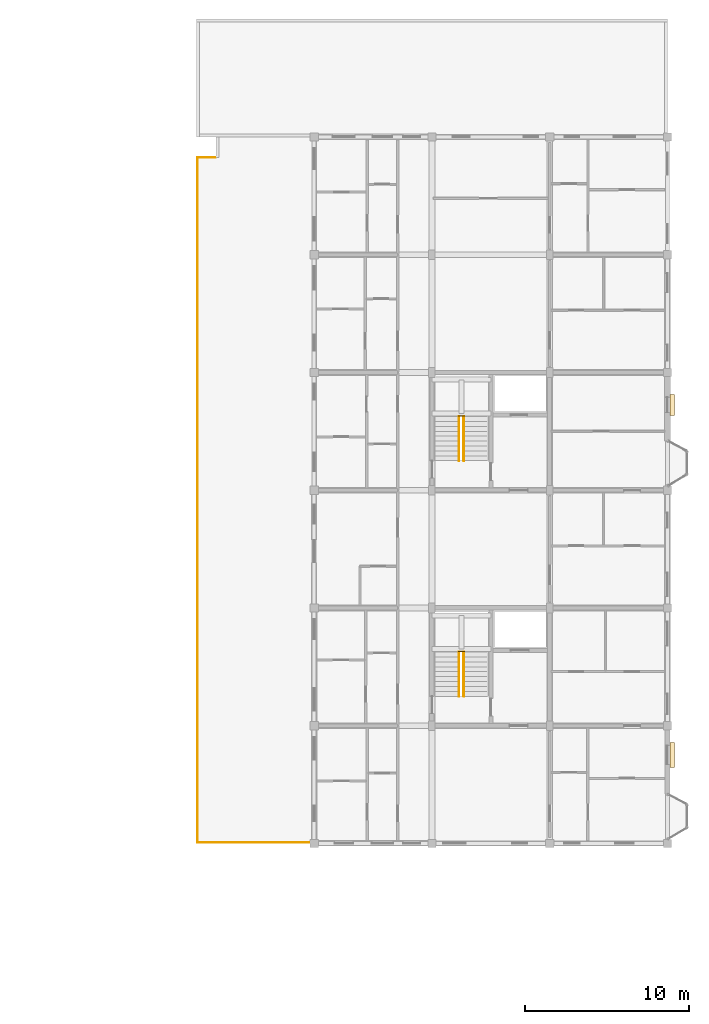
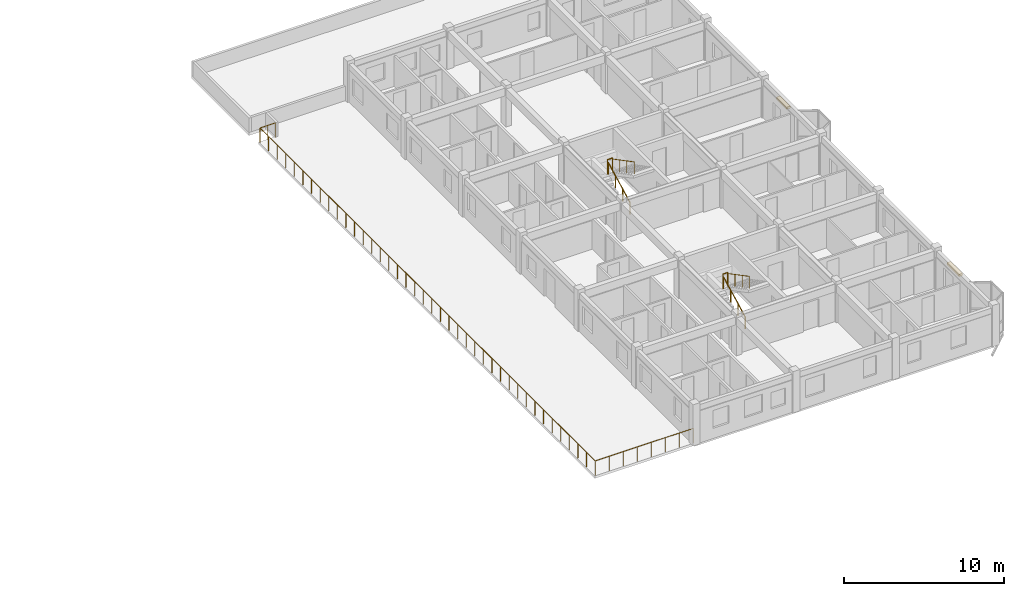
# One storey, part 69 of 70: 7 railings, 2 coverings.
"""IFC4 building model written with IfcOpenShell, lengths in metres."""

from ifc_helpers import new_model, si_unit, direction, frame, origin, origin_2d, place, context, subcontext, project, spatial, rectangle, circle, extrude, material, layer, layer_set, type_object, element, save


model = new_model("IFC4")

# Units and contexts
model_context = context("Model", 3, precision=1e-05, world=origin(), true_north=direction((0.0, 1.0)))
body_context = subcontext(model_context, "Body", "Model", "MODEL_VIEW")
ifc_project = project(units=[si_unit("LENGTHUNIT", "METRE"), si_unit("AREAUNIT", "SQUARE_METRE"), si_unit("VOLUMEUNIT", "CUBIC_METRE"), si_unit("PLANEANGLEUNIT", "RADIAN"), si_unit("MASSUNIT", "GRAM", prefix="KILO"), si_unit("THERMODYNAMICTEMPERATUREUNIT", "KELVIN"), si_unit("POWERUNIT", "WATT")], contexts=[model_context])

# Site, building, storey
site_placement = place(None, origin())
site = spatial("IfcSite", under=ifc_project, at=site_placement, CompositionType="ELEMENT")
building_placement = place(site_placement, origin())
building = spatial("IfcBuilding", under=site, at=building_placement, Name="Tavuni Mirador Residences", CompositionType="ELEMENT")
storey_placement = place(building_placement, frame((0.0, 0.0, 23.39990234375)))
storey = spatial("IfcBuildingStorey", under=building, at=storey_placement, Name="L07", CompositionType="ELEMENT", Elevation=23.39990234375)

# Coverings
ifc_material_1 = material(Name="Natural coral limestone", Category="masonry")
ifc_layer = layer(ifc_material_1, 0.054931640625, Name="Natural coral limestone", Category="masonry")
ifc_layer_set = layer_set([ifc_layer], Name="Natural coral limestone")
covering_type = type_object("IfcCoveringType", Name="CVT-CLAD-CORAL", PredefinedType="CLADDING", material=ifc_layer_set)
covering_1_placement = place(storey_placement, frame((119.092041015625, 91.81005859375, 2.240234375), z_axis=(0.0, 0.0, 1.0), x_axis=(0.0, 1.0, 0.0)))
element("IfcCovering", 1, at=covering_1_placement, inside=storey, type_object=covering_type, Name="HOOD-1036", PredefinedType="CLADDING", context=body_context, shape_type="SweptSolid", body=[
    extrude(rectangle(XDim=1.510009765625, YDim=0.260009765625, at=origin_2d()), origin(), (0.0, 0.0, 1.0), 0.159912109375),
])
covering_2_placement = place(storey_placement, frame((119.099609375, 113.219970703125, 1.9501953125), z_axis=(0.0, 0.0, 1.0), x_axis=(0.0, 1.0, 0.0)))
element("IfcCovering", 2, at=covering_2_placement, inside=storey, type_object=covering_type, Name="HOOD-1037", PredefinedType="CLADDING", context=body_context, shape_type="SweptSolid", body=[
    extrude(rectangle(XDim=1.280029296875, YDim=0.260009765625, at=origin_2d()), origin(), (0.0, 0.0, 1.0), 0.159912109375),
])

# Railings
ifc_material_2 = material(Name="Structural steel S355", Category="steel")
railing_type_1 = type_object("IfcRailingType", Name="RT-GR1120", PredefinedType="GUARDRAIL", material=ifc_material_2)
railing_1_placement = place(storey_placement, frame((91.169921875, 128.340087890625, 0.0)))
element("IfcRailing", 3, at=railing_1_placement, inside=storey, type_object=railing_type_1, Name="Terrace guard TER-D-L07", PredefinedType="GUARDRAIL", context=body_context, shape_type="SweptSolid", body=[
    extrude(circle(Radius=0.02392578125, at=origin_2d()), frame((0.0, 0.0, 1.09619140625), z_axis=(-1.0, 0.0, 0.0), x_axis=(0.0, -1.0, 0.0)), (0.0, 0.0, 1.0), 1.10986328125),
    extrude(circle(Radius=0.02392578125, at=origin_2d()), frame((-1.10986328125, 0.0, 1.09619140625), z_axis=(0.0, -1.0, 0.0), x_axis=(1.0, 0.0, 0.0)), (0.0, 0.0, 1.0), 41.880126953125),
    extrude(circle(Radius=0.02392578125, at=origin_2d()), frame((-1.10986328125, -41.880126953125, 1.09619140625), z_axis=(1.0, 0.0, 0.0), x_axis=(0.0, 1.0, 0.0)), (0.0, 0.0, 1.0), 7.079833984375),
    extrude(circle(Radius=0.02099609375, at=origin_2d()), origin(), (0.0, 0.0, 1.0), 1.072021484375),
    extrude(circle(Radius=0.02099609375, at=origin_2d()), frame((-0.554931640625, 0.0, 0.0)), (0.0, 0.0, 1.0), 1.072021484375),
    extrude(circle(Radius=0.02099609375, at=origin_2d()), frame((-1.10986328125, 0.0, 0.0)), (0.0, 0.0, 1.0), 1.072021484375),
    extrude(circle(Radius=0.02099609375, at=origin_2d()), frame((-1.10986328125, -1.07373046875, 0.0)), (0.0, 0.0, 1.0), 1.072021484375),
    extrude(circle(Radius=0.02099609375, at=origin_2d()), frame((-1.10986328125, -2.147705078125, 0.0)), (0.0, 0.0, 1.0), 1.072021484375),
    extrude(circle(Radius=0.02099609375, at=origin_2d()), frame((-1.10986328125, -3.221435546875, 0.0)), (0.0, 0.0, 1.0), 1.072021484375),
    extrude(circle(Radius=0.02099609375, at=origin_2d()), frame((-1.10986328125, -4.29541015625, 0.0)), (0.0, 0.0, 1.0), 1.072021484375),
    extrude(circle(Radius=0.02099609375, at=origin_2d()), frame((-1.10986328125, -5.369140625, 0.0)), (0.0, 0.0, 1.0), 1.072021484375),
    extrude(circle(Radius=0.02099609375, at=origin_2d()), frame((-1.10986328125, -6.443115234375, 0.0)), (0.0, 0.0, 1.0), 1.072021484375),
    extrude(circle(Radius=0.02099609375, at=origin_2d()), frame((-1.10986328125, -7.516845703125, 0.0)), (0.0, 0.0, 1.0), 1.072021484375),
    extrude(circle(Radius=0.02099609375, at=origin_2d()), frame((-1.10986328125, -8.5908203125, 0.0)), (0.0, 0.0, 1.0), 1.072021484375),
    extrude(circle(Radius=0.02099609375, at=origin_2d()), frame((-1.10986328125, -9.66455078125, 0.0)), (0.0, 0.0, 1.0), 1.072021484375),
    extrude(circle(Radius=0.02099609375, at=origin_2d()), frame((-1.10986328125, -10.738525390625, 0.0)), (0.0, 0.0, 1.0), 1.072021484375),
    extrude(circle(Radius=0.02099609375, at=origin_2d()), frame((-1.10986328125, -11.812255859375, 0.0)), (0.0, 0.0, 1.0), 1.072021484375),
    extrude(circle(Radius=0.02099609375, at=origin_2d()), frame((-1.10986328125, -12.88623046875, 0.0)), (0.0, 0.0, 1.0), 1.072021484375),
    extrude(circle(Radius=0.02099609375, at=origin_2d()), frame((-1.10986328125, -13.9599609375, 0.0)), (0.0, 0.0, 1.0), 1.072021484375),
    extrude(circle(Radius=0.02099609375, at=origin_2d()), frame((-1.10986328125, -15.033935546875, 0.0)), (0.0, 0.0, 1.0), 1.072021484375),
    extrude(circle(Radius=0.02099609375, at=origin_2d()), frame((-1.10986328125, -16.107666015625, 0.0)), (0.0, 0.0, 1.0), 1.072021484375),
    extrude(circle(Radius=0.02099609375, at=origin_2d()), frame((-1.10986328125, -17.181640625, 0.0)), (0.0, 0.0, 1.0), 1.072021484375),
    extrude(circle(Radius=0.02099609375, at=origin_2d()), frame((-1.10986328125, -18.25537109375, 0.0)), (0.0, 0.0, 1.0), 1.072021484375),
    extrude(circle(Radius=0.02099609375, at=origin_2d()), frame((-1.10986328125, -19.329345703125, 0.0)), (0.0, 0.0, 1.0), 1.072021484375),
    extrude(circle(Radius=0.02099609375, at=origin_2d()), frame((-1.10986328125, -20.403076171875, 0.0)), (0.0, 0.0, 1.0), 1.072021484375),
    extrude(circle(Radius=0.02099609375, at=origin_2d()), frame((-1.10986328125, -21.47705078125, 0.0)), (0.0, 0.0, 1.0), 1.072021484375),
    extrude(circle(Radius=0.02099609375, at=origin_2d()), frame((-1.10986328125, -22.55078125, 0.0)), (0.0, 0.0, 1.0), 1.072021484375),
    extrude(circle(Radius=0.02099609375, at=origin_2d()), frame((-1.10986328125, -23.624755859375, 0.0)), (0.0, 0.0, 1.0), 1.072021484375),
    extrude(circle(Radius=0.02099609375, at=origin_2d()), frame((-1.10986328125, -24.698486328125, 0.0)), (0.0, 0.0, 1.0), 1.072021484375),
    extrude(circle(Radius=0.02099609375, at=origin_2d()), frame((-1.10986328125, -25.7724609375, 0.0)), (0.0, 0.0, 1.0), 1.072021484375),
    extrude(circle(Radius=0.02099609375, at=origin_2d()), frame((-1.10986328125, -26.84619140625, 0.0)), (0.0, 0.0, 1.0), 1.072021484375),
    extrude(circle(Radius=0.02099609375, at=origin_2d()), frame((-1.10986328125, -27.920166015625, 0.0)), (0.0, 0.0, 1.0), 1.072021484375),
    extrude(circle(Radius=0.02099609375, at=origin_2d()), frame((-1.10986328125, -28.993896484375, 0.0)), (0.0, 0.0, 1.0), 1.072021484375),
    extrude(circle(Radius=0.02099609375, at=origin_2d()), frame((-1.10986328125, -30.06787109375, 0.0)), (0.0, 0.0, 1.0), 1.072021484375),
    extrude(circle(Radius=0.02099609375, at=origin_2d()), frame((-1.10986328125, -31.1416015625, 0.0)), (0.0, 0.0, 1.0), 1.072021484375),
    extrude(circle(Radius=0.02099609375, at=origin_2d()), frame((-1.10986328125, -32.215576171875, 0.0)), (0.0, 0.0, 1.0), 1.072021484375),
    extrude(circle(Radius=0.02099609375, at=origin_2d()), frame((-1.10986328125, -33.289306640625, 0.0)), (0.0, 0.0, 1.0), 1.072021484375),
    extrude(circle(Radius=0.02099609375, at=origin_2d()), frame((-1.10986328125, -34.36328125, 0.0)), (0.0, 0.0, 1.0), 1.072021484375),
    extrude(circle(Radius=0.02099609375, at=origin_2d()), frame((-1.10986328125, -35.43701171875, 0.0)), (0.0, 0.0, 1.0), 1.072021484375),
    extrude(circle(Radius=0.02099609375, at=origin_2d()), frame((-1.10986328125, -36.510986328125, 0.0)), (0.0, 0.0, 1.0), 1.072021484375),
    extrude(circle(Radius=0.02099609375, at=origin_2d()), frame((-1.10986328125, -37.584716796875, 0.0)), (0.0, 0.0, 1.0), 1.072021484375),
    extrude(circle(Radius=0.02099609375, at=origin_2d()), frame((-1.10986328125, -38.65869140625, 0.0)), (0.0, 0.0, 1.0), 1.072021484375),
    extrude(circle(Radius=0.02099609375, at=origin_2d()), frame((-1.10986328125, -39.732421875, 0.0)), (0.0, 0.0, 1.0), 1.072021484375),
    extrude(circle(Radius=0.02099609375, at=origin_2d()), frame((-1.10986328125, -40.806396484375, 0.0)), (0.0, 0.0, 1.0), 1.072021484375),
    extrude(circle(Radius=0.02099609375, at=origin_2d()), frame((-1.10986328125, -41.880126953125, 0.0)), (0.0, 0.0, 1.0), 1.072021484375),
    extrude(circle(Radius=0.02099609375, at=origin_2d()), frame((-0.098388671875, -41.880126953125, 0.0)), (0.0, 0.0, 1.0), 1.072021484375),
    extrude(circle(Radius=0.02099609375, at=origin_2d()), frame((0.912841796875, -41.880126953125, 0.0)), (0.0, 0.0, 1.0), 1.072021484375),
    extrude(circle(Radius=0.02099609375, at=origin_2d()), frame((1.92431640625, -41.880126953125, 0.0)), (0.0, 0.0, 1.0), 1.072021484375),
    extrude(circle(Radius=0.02099609375, at=origin_2d()), frame((2.935791015625, -41.880126953125, 0.0)), (0.0, 0.0, 1.0), 1.072021484375),
    extrude(circle(Radius=0.02099609375, at=origin_2d()), frame((3.947265625, -41.880126953125, 0.0)), (0.0, 0.0, 1.0), 1.072021484375),
    extrude(circle(Radius=0.02099609375, at=origin_2d()), frame((4.95849609375, -41.880126953125, 0.0)), (0.0, 0.0, 1.0), 1.072021484375),
    extrude(circle(Radius=0.02099609375, at=origin_2d()), frame((5.969970703125, -41.880126953125, 0.0)), (0.0, 0.0, 1.0), 1.072021484375),
])
for number, where, name in (
    (4, (106.02001953125, 98.139892578125, 1.5751953125), "GRD-HL-ST7-L07"),
    (5, (106.02001953125, 112.5400390625, 1.5751953125), "GRD-HL-ST8-L07"),
):
    element("IfcRailing", number, at=place(storey_placement, frame(where)), inside=storey, type_object=railing_type_1, Name=name, PredefinedType="GUARDRAIL", context=body_context, shape_type="SweptSolid", body=[
        extrude(circle(Radius=0.02392578125, at=origin_2d()), frame((0.0, 0.0, 1.09619140625), z_axis=(1.0, 0.0, 0.0), x_axis=(0.0, 1.0, 0.0)), (0.0, 0.0, 1.0), 0.35986328125),
        extrude(circle(Radius=0.02099609375, at=origin_2d()), origin(), (0.0, 0.0, 1.0), 1.072021484375),
        extrude(circle(Radius=0.02099609375, at=origin_2d()), frame((0.35986328125, 0.0, 0.0)), (0.0, 0.0, 1.0), 1.072021484375),
    ])
railing_type_2 = type_object("IfcRailingType", Name="RT-HR920", PredefinedType="HANDRAIL", material=ifc_material_2)
railing_2_placement = place(storey_placement, frame((106.050048828125, 95.39990234375, 0.15771484375)))
element("IfcRailing", 6, at=railing_2_placement, inside=storey, type_object=railing_type_2, Name="HR-ST7-L07-F1", PredefinedType="HANDRAIL", context=body_context, shape_type="SweptSolid", body=[
    extrude(circle(Radius=0.02392578125, at=origin_2d()), frame((0.0, 0.0, 0.89599609375), z_axis=(0.0, 0.885414376231, 0.464802519747), x_axis=(-1.0, 0.0, 0.0)), (0.0, 0.0, 1.0), 3.049560546875),
    extrude(circle(Radius=0.02099609375, at=origin_2d()), origin(), (0.0, 0.0, 1.0), 0.871826171875),
    extrude(circle(Radius=0.02099609375, at=origin_2d()), frame((0.0, 0.900146484375, 0.472412109375)), (0.0, 0.0, 1.0), 0.871826171875),
    extrude(circle(Radius=0.02099609375, at=origin_2d()), frame((0.0, 1.800048828125, 0.945068359375)), (0.0, 0.0, 1.0), 0.871826171875),
    extrude(circle(Radius=0.02099609375, at=origin_2d()), frame((0.0, 2.7001953125, 1.41748046875)), (0.0, 0.0, 1.0), 0.871826171875),
])
railing_3_placement = place(storey_placement, frame((106.35009765625, 98.10009765625, 1.732666015625)))
element("IfcRailing", 7, at=railing_3_placement, inside=storey, type_object=railing_type_2, Name="HR-ST7-L07-F2", PredefinedType="HANDRAIL", context=body_context, shape_type="SweptSolid", body=[
    extrude(circle(Radius=0.02392578125, at=origin_2d()), frame((0.0, 0.0, 0.89599609375), z_axis=(0.0, -0.885414376231, 0.464802519747), x_axis=(1.0, 0.0, 0.0)), (0.0, 0.0, 1.0), 3.049560546875),
    extrude(circle(Radius=0.02099609375, at=origin_2d()), origin(), (0.0, 0.0, 1.0), 0.871826171875),
    extrude(circle(Radius=0.02099609375, at=origin_2d()), frame((0.0, -0.900146484375, 0.472412109375)), (0.0, 0.0, 1.0), 0.871826171875),
    extrude(circle(Radius=0.02099609375, at=origin_2d()), frame((0.0, -1.800048828125, 0.945068359375)), (0.0, 0.0, 1.0), 0.871826171875),
    extrude(circle(Radius=0.02099609375, at=origin_2d()), frame((0.0, -2.7001953125, 1.41748046875)), (0.0, 0.0, 1.0), 0.871826171875),
])
railing_4_placement = place(storey_placement, frame((106.050048828125, 109.800048828125, 0.15771484375)))
element("IfcRailing", 8, at=railing_4_placement, inside=storey, type_object=railing_type_2, Name="HR-ST8-L07-F1", PredefinedType="HANDRAIL", context=body_context, shape_type="SweptSolid", body=[
    extrude(circle(Radius=0.02392578125, at=origin_2d()), frame((0.0, 0.0, 0.89599609375), z_axis=(0.0, 0.885397079081, 0.464835468048), x_axis=(-1.0, 0.0, 0.0)), (0.0, 0.0, 1.0), 3.04931640625),
    extrude(circle(Radius=0.02099609375, at=origin_2d()), origin(), (0.0, 0.0, 1.0), 0.871826171875),
    extrude(circle(Radius=0.02099609375, at=origin_2d()), frame((0.0, 0.89990234375, 0.472412109375)), (0.0, 0.0, 1.0), 0.871826171875),
    extrude(circle(Radius=0.02099609375, at=origin_2d()), frame((0.0, 1.800048828125, 0.945068359375)), (0.0, 0.0, 1.0), 0.871826171875),
    extrude(circle(Radius=0.02099609375, at=origin_2d()), frame((0.0, 2.699951171875, 1.41748046875)), (0.0, 0.0, 1.0), 0.871826171875),
])
railing_5_placement = place(storey_placement, frame((106.35009765625, 112.5, 1.732666015625)))
element("IfcRailing", 9, at=railing_5_placement, inside=storey, type_object=railing_type_2, Name="HR-ST8-L07-F2", PredefinedType="HANDRAIL", context=body_context, shape_type="SweptSolid", body=[
    extrude(circle(Radius=0.02392578125, at=origin_2d()), frame((0.0, 0.0, 0.89599609375), z_axis=(0.0, -0.885397079081, 0.464835468048), x_axis=(1.0, 0.0, 0.0)), (0.0, 0.0, 1.0), 3.04931640625),
    extrude(circle(Radius=0.02099609375, at=origin_2d()), origin(), (0.0, 0.0, 1.0), 0.871826171875),
    extrude(circle(Radius=0.02099609375, at=origin_2d()), frame((0.0, -0.89990234375, 0.472412109375)), (0.0, 0.0, 1.0), 0.871826171875),
    extrude(circle(Radius=0.02099609375, at=origin_2d()), frame((0.0, -1.800048828125, 0.945068359375)), (0.0, 0.0, 1.0), 0.871826171875),
    extrude(circle(Radius=0.02099609375, at=origin_2d()), frame((0.0, -2.699951171875, 1.41748046875)), (0.0, 0.0, 1.0), 0.871826171875),
])

save(model, "model.ifc")
